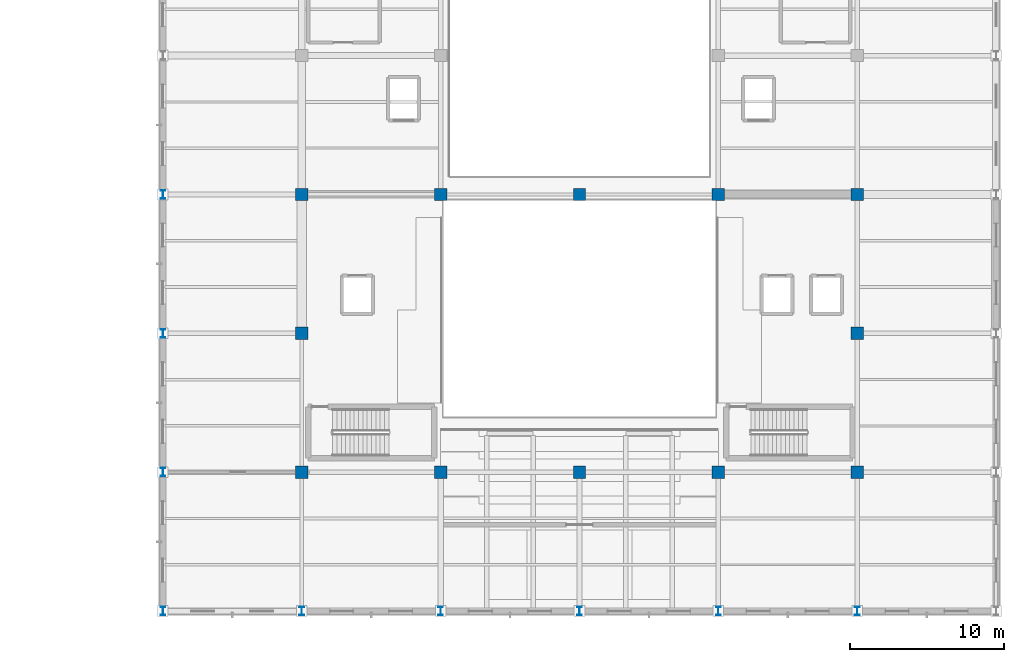
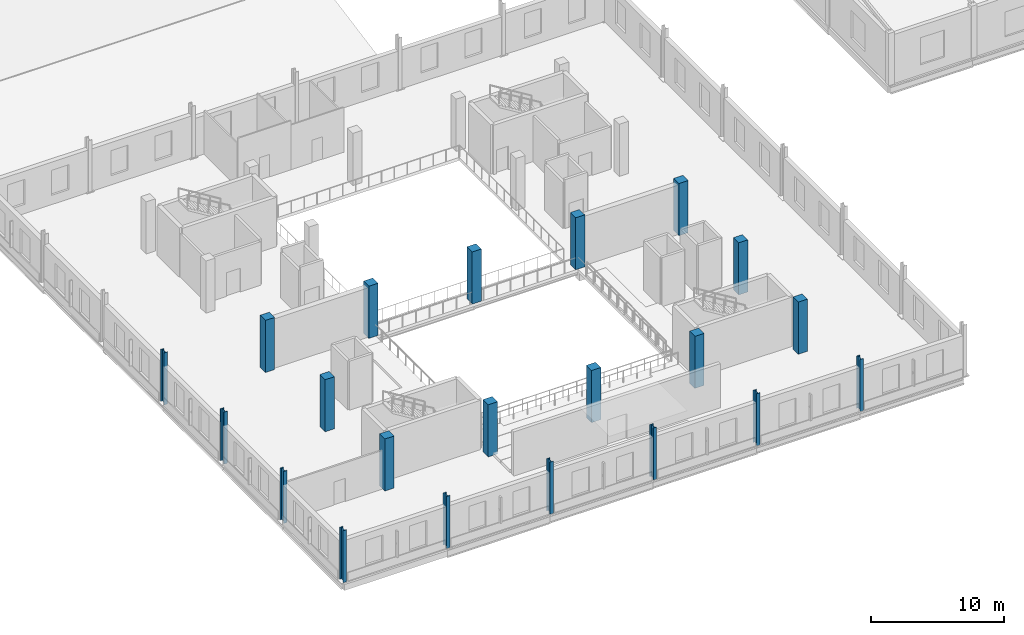
# One storey, part 1 of 35: 21 columns.
"""IFC4 building model written with IfcOpenShell, lengths in metres."""

from ifc_helpers import new_model, si_unit, direction, frame, origin, origin_2d, place, context, subcontext, project, spatial, rectangle, i_section, extrude, material, material_profile, profile_set, type_object, element, save


model = new_model("IFC4")

# Units and contexts
model_context = context("Model", 3, precision=1e-05, world=origin(), true_north=direction((0.0, 1.0)))
body_context = subcontext(model_context, "Body", "Model", "MODEL_VIEW")
ifc_project = project(units=[si_unit("LENGTHUNIT", "METRE"), si_unit("AREAUNIT", "SQUARE_METRE"), si_unit("VOLUMEUNIT", "CUBIC_METRE"), si_unit("PLANEANGLEUNIT", "RADIAN"), si_unit("MASSUNIT", "GRAM", prefix="KILO")], contexts=[model_context])

# Site, building, storey
site_placement = place(None, origin())
site = spatial("IfcSite", under=ifc_project, at=site_placement, CompositionType="ELEMENT")
building_placement = place(site_placement, origin())
building = spatial("IfcBuilding", under=site, at=building_placement, Name="Sundgate Opera House", CompositionType="ELEMENT")
storey_placement = place(building_placement, frame((0.0, 0.0, 21.60009765625)))
storey = spatial("IfcBuildingStorey", under=building, at=storey_placement, Name="L04", CompositionType="ELEMENT", Elevation=21.60009765625)

# Columns
ifc_material_1 = material(Name="Concrete C40/50", Category="concrete")
ifc_material_profile_1 = material_profile(ifc_material_1, rectangle(XDim=0.800048828125, YDim=0.800048828125, at=origin_2d()), Name="RC 800x800")
ifc_profile_set_1 = profile_set([ifc_material_profile_1], Name="Concrete C40/50")
column_type_1 = type_object("IfcColumnType", Name="CL-RC-800", PredefinedType="COLUMN", material=ifc_profile_set_1)
for number, where, z_axis, x_axis, name in (
    (1, (36.0, 42.0, 0.0), (0.0, 0.0, 1.0), (1.0, 0.0, 0.0), "L04 Column C0225"),
    (2, (36.0, 51.0, 0.0), (0.0, 0.0, 1.0), (1.0, 0.0, 0.0), "L04 Column C0231"),
    (3, (36.0, 60.0, 0.0), (0.0, 0.0, 1.0), (1.0, 0.0, 0.0), "L04 Column C0237"),
    (4, (45.0, 42.0, 0.0), (0.0, 0.0, 1.0), (1.0, 0.0, 0.0), "L04 Column C0290"),
    (5, (45.0, 60.0, 0.0), (0.0, 0.0, 1.0), (1.0, 0.0, 0.0), "L04 Column C0297"),
    (6, (54.0, 42.0, 0.0), (0.0, 0.0, 1.0), (1.0, 0.0, 0.0), "L04 Column C0350"),
    (7, (54.0, 60.0, 0.0), (0.0, 0.0, 1.0), (1.0, 0.0, 0.0), "L04 Column C0357"),
    (8, (63.0, 42.0, 0.0), (0.0, 0.0, 1.0), (1.0, 0.0, 0.0), "L04 Column C0405"),
    (9, (63.0, 60.0, 0.0), (0.0, 0.0, 1.0), (1.0, 0.0, 0.0), "L04 Column C0413"),
    (10, (72.0, 42.0, 0.0), (0.0, 0.0, 1.0), (1.0, 0.0, 0.0), "L04 Column C0466"),
    (11, (72.0, 51.0, 0.0), (0.0, 0.0, 1.0), (1.0, 0.0, 0.0), "L04 Column C0473"),
    (12, (72.0, 60.0, 0.0), (0.0, 0.0, 1.0), (1.0, 0.0, 0.0), "L04 Column C0480"),
):
    element("IfcColumn", number, at=place(storey_placement, frame(where, z_axis=z_axis, x_axis=x_axis)), inside=storey, type_object=column_type_1, Name=name, PredefinedType="COLUMN", context=body_context, shape_type="SweptSolid", body=[
        extrude(rectangle(XDim=0.800048828125, YDim=0.800048828125, at=origin_2d()), origin(), (0.0, 0.0, 1.0), 4.7998046875),
    ])
ifc_material_2 = material(Name="Steel S355J2", Category="steel")
ifc_material_profile_2 = material_profile(ifc_material_2, i_section(OverallWidth=0.300048828125, OverallDepth=0.550048828125, WebThickness=0.014892578125, FlangeThickness=0.029052734375, at=origin_2d()), Name="HEB 550")
ifc_profile_set_2 = profile_set([ifc_material_profile_2], Name="Steel S355J2")
column_type_2 = type_object("IfcColumnType", Name="CL-STL-550", PredefinedType="COLUMN", material=ifc_profile_set_2)
for number, where, z_axis, x_axis, name in (
    (13, (27.0, 33.0, 0.0), (0.0, 0.0, 1.0), (1.0, 0.0, 0.0), "L04 Column C0161"),
    (14, (27.0, 42.0, 0.0), (0.0, 0.0, 1.0), (1.0, 0.0, 0.0), "L04 Column C0166"),
    (15, (27.0, 51.0, 0.0), (0.0, 0.0, 1.0), (1.0, 0.0, 0.0), "L04 Column C0171"),
    (16, (27.0, 60.0, 0.0), (0.0, 0.0, 1.0), (1.0, 0.0, 0.0), "L04 Column C0176"),
    (17, (36.0, 33.0, 0.0), (0.0, 0.0, 1.0), (1.0, 0.0, 0.0), "L04 Column C0218"),
    (18, (45.0, 33.0, 0.0), (0.0, 0.0, 1.0), (1.0, 0.0, 0.0), "L04 Column C0283"),
    (19, (54.0, 33.0, 0.0), (0.0, 0.0, 1.0), (1.0, 0.0, 0.0), "L04 Column C0343"),
    (20, (63.0, 33.0, 0.0), (0.0, 0.0, 1.0), (1.0, 0.0, 0.0), "L04 Column C0398"),
    (21, (72.0, 33.0, 0.0), (0.0, 0.0, 1.0), (1.0, 0.0, 0.0), "L04 Column C0459"),
):
    element("IfcColumn", number, at=place(storey_placement, frame(where, z_axis=z_axis, x_axis=x_axis)), inside=storey, type_object=column_type_2, Name=name, PredefinedType="COLUMN", context=body_context, shape_type="SweptSolid", body=[
        extrude(i_section(OverallWidth=0.300048828125, OverallDepth=0.550048828125, WebThickness=0.014892578125, FlangeThickness=0.029052734375, at=origin_2d()), origin(), (0.0, 0.0, 1.0), 4.7998046875),
    ])

save(model, "model.ifc")
